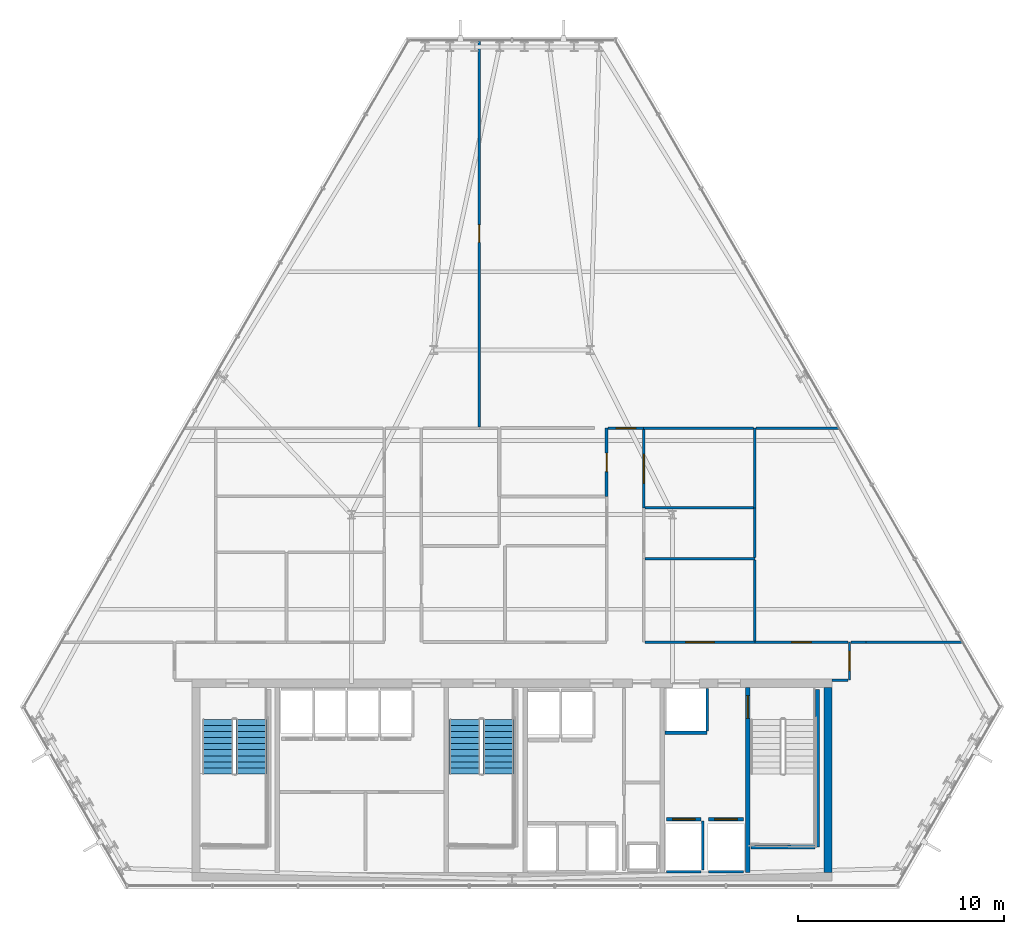
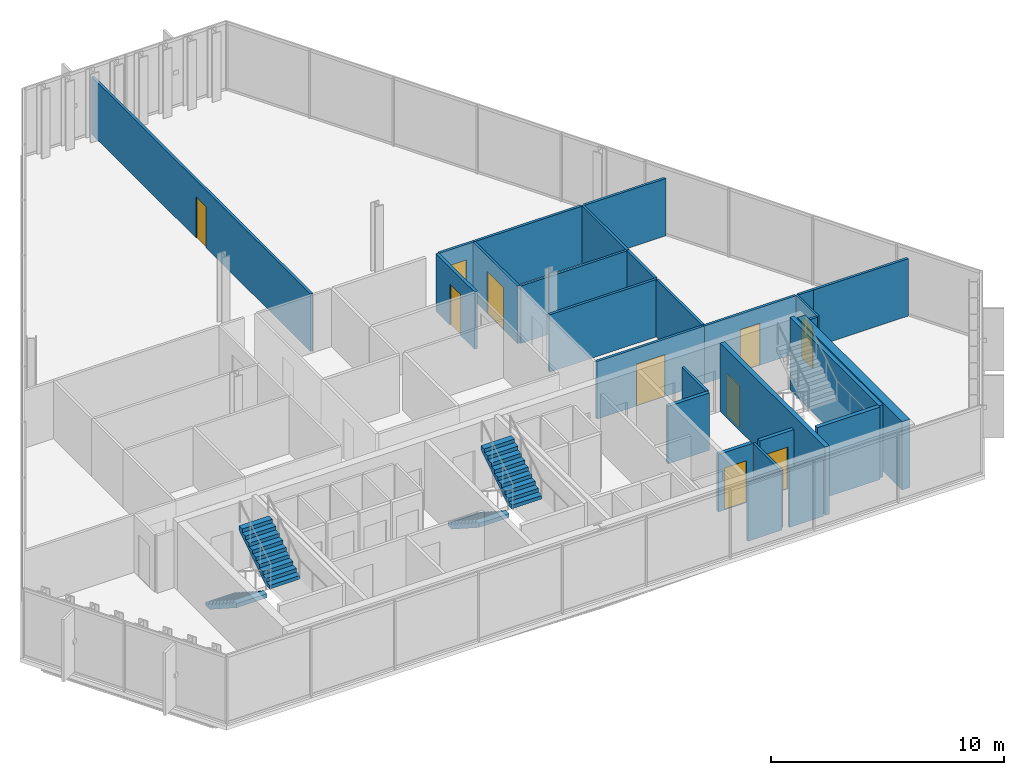
# One storey, part 30 of 35: 28 walls, 10 doors, 4 stair flights, 10 openings, 2 elements without a shape of their own.
"""IFC4 building model written with IfcOpenShell, lengths in metres."""

from ifc_helpers import new_model, si_unit, direction, frame, frame_2d, origin, place, context, subcontext, project, spatial, polyline, rectangle, outline, extrude, material, layer, layer_set, type_object, element, fill, aggregate, save


model = new_model("IFC4")

# Units and contexts
model_context = context("Model", 3, precision=1e-05, world=origin(), true_north=direction((0.0, 1.0)))
body_context = subcontext(model_context, "Body", "Model", "MODEL_VIEW")
ifc_project = project(units=[si_unit("LENGTHUNIT", "METRE"), si_unit("AREAUNIT", "SQUARE_METRE"), si_unit("VOLUMEUNIT", "CUBIC_METRE"), si_unit("PLANEANGLEUNIT", "RADIAN"), si_unit("MASSUNIT", "GRAM", prefix="KILO")], contexts=[model_context])

# Site, building, storey
site_placement = place(None, origin())
site = spatial("IfcSite", under=ifc_project, at=site_placement, CompositionType="ELEMENT")
building_placement = place(site_placement, origin())
building = spatial("IfcBuilding", under=site, at=building_placement, Name="Ndaravel Arena Tower", CompositionType="ELEMENT")
storey_placement = place(building_placement, frame((0.0, 0.0, 176.39990234375)))
storey = spatial("IfcBuildingStorey", under=building, at=storey_placement, Name="L42", CompositionType="ELEMENT", Elevation=176.39990234375)

# Wall, opening, door
ifc_material_1 = material(Name="Concrete C50/60", Category="concrete")
ifc_layer_1 = layer(ifc_material_1, 0.219970703125)
ifc_layer_set_1 = layer_set([ifc_layer_1], Name="Concrete C50/60")
wall_type_1 = type_object("IfcWallType", Name="WALL-CORE-220", PredefinedType="SOLIDWALL", material=ifc_layer_set_1)
wall_1_placement = place(storey_placement, frame((53.449951171875, 5.800048828125, 0.0), z_axis=(0.0, 0.0, 1.0), x_axis=(0.0, 1.0, 0.0)))
wall_1 = element("IfcWall", 1, at=wall_1_placement, inside=storey, type_object=wall_type_1, Name="L42 Core Web Shear Wall 5", PredefinedType="SOLIDWALL", context=body_context, shape_type="SweptSolid", body=[
    extrude(rectangle(XDim=9.0, YDim=0.219970703125, at=frame_2d((4.5, 0.0))), origin(), (0.0, 0.0, 1.0), 3.580078125),
])
opening_1_placement = place(wall_1_placement, frame((7.5, 0.0, 0.0)))
opening_1 = element("IfcOpeningElement", 2, at=opening_1_placement, cuts=wall_1, Name="Opening FD-01", PredefinedType="OPENING", context=body_context, shape_type="SweptSolid", body=[
    extrude(rectangle(XDim=1.10009765625, YDim=2.199951171875, at=frame_2d((0.550048828125, 1.10009765625))), frame((0.0, 0.10986328125, 0.0), z_axis=(0.0, -1.0, 0.0), x_axis=(1.0, 0.0, 0.0)), (0.0, 0.0, 1.0), 0.219970703125),
])
ifc_material_2 = material(Name="Steel S355", Category="steel")
door_type_1 = type_object("IfcDoorType", Name="DT-01-STAIR-1100", OperationType="SINGLE_SWING_LEFT", PredefinedType="DOOR", material=ifc_material_2)
door_1_placement = place(opening_1_placement, origin())
door_1 = element("IfcDoor", 3, at=door_1_placement, inside=storey, type_object=door_type_1, Name="L42 Firefighting Lobby to ST-3 Door", OperationType="SINGLE_SWING_LEFT", OverallHeight=2.199951171875, OverallWidth=1.10009765625, PredefinedType="DOOR", context=body_context, shape_type="SweptSolid", body=[
    extrude(rectangle(XDim=1.10009765625, YDim=2.199951171875, at=frame_2d((0.550048828125, 1.10009765625))), frame((0.0, 0.02490234375, 0.0), z_axis=(0.0, -1.0, 0.0), x_axis=(1.0, 0.0, 0.0)), (0.0, 0.0, 1.0), 0.050048828125),
])
fill(opening_1, door_1)

# Wall
ifc_material_3 = material(Name="Concrete C50/60", Category="concrete")
ifc_layer_2 = layer(ifc_material_3, 0.39990234375)
ifc_layer_set_2 = layer_set([ifc_layer_2], Name="Concrete C50/60")
wall_type_2 = type_object("IfcWallType", Name="WALL-CORE-400", PredefinedType="SOLIDWALL", material=ifc_layer_set_2)
wall_2_placement = place(storey_placement, frame((57.35009765625, 5.800048828125, 0.0), z_axis=(0.0, 0.0, 1.0), x_axis=(0.0, 1.0, 0.0)))
element("IfcWall", 4, at=wall_2_placement, inside=storey, type_object=wall_type_2, Name="L42 Core East Shear Wall", PredefinedType="SOLIDWALL", context=body_context, shape_type="SweptSolid", body=[
    extrude(rectangle(XDim=9.0, YDim=0.39990234375, at=frame_2d((4.5, 0.0))), origin(), (0.0, 0.0, 1.0), 3.580078125),
])

# Wall, opening, door
ifc_material_4 = material(Name="Timber", Category="wood")
ifc_layer_3 = layer(ifc_material_4, 0.10009765625)
ifc_layer_set_3 = layer_set([ifc_layer_3], Name="Timber")
wall_type_3 = type_object("IfcWallType", Name="WALL-MOVABLE-100", PredefinedType="MOVABLE", material=ifc_layer_set_3)
wall_3_placement = place(storey_placement, frame((58.39990234375, 17.0, 0.0), z_axis=(0.0, 0.0, 1.0), x_axis=(0.0, -1.0, 0.0)))
wall_3 = element("IfcWall", 5, at=wall_3_placement, inside=storey, type_object=wall_type_3, Name="L42 Interior Partition 001", PredefinedType="MOVABLE", context=body_context, shape_type="SweptSolid", body=[
    extrude(rectangle(XDim=1.85009765625, YDim=0.10009765625, at=frame_2d((0.925048828125, 0.0))), origin(), (0.0, 0.0, 1.0), 3.010498046875),
])
opening_2_placement = place(wall_3_placement, frame((0.449951171875, 0.0, 0.0)))
opening_2 = element("IfcOpeningElement", 6, at=opening_2_placement, cuts=wall_3, Name="Opening ID-01", PredefinedType="OPENING", context=body_context, shape_type="SweptSolid", body=[
    extrude(rectangle(XDim=0.949951171875, YDim=2.199951171875, at=frame_2d((0.47509765625, 1.10009765625))), frame((0.0, 0.050048828125, 0.0), z_axis=(0.0, -1.0, 0.0), x_axis=(1.0, 0.0, 0.0)), (0.0, 0.0, 1.0), 0.10009765625),
])
ifc_material_5 = material(Name="Timber", Category="wood")
door_type_2 = type_object("IfcDoorType", Name="DT-03-OFFICE-950", OperationType="SINGLE_SWING_LEFT", PredefinedType="DOOR", material=ifc_material_5)
door_2_placement = place(opening_2_placement, origin())
door_2 = element("IfcDoor", 7, at=door_2_placement, inside=storey, type_object=door_type_2, Name="L42 Design Bookshop Boutique Door", OperationType="SINGLE_SWING_RIGHT", OverallHeight=2.199951171875, OverallWidth=0.949951171875, PredefinedType="DOOR", context=body_context, shape_type="SweptSolid", body=[
    extrude(rectangle(XDim=0.949951171875, YDim=2.199951171875, at=frame_2d((0.47509765625, 1.10009765625))), frame((0.0, 0.02490234375, 0.0), z_axis=(0.0, -1.0, 0.0), x_axis=(1.0, 0.0, 0.0)), (0.0, 0.0, 1.0), 0.050048828125),
])
fill(opening_2, door_2)

# Wall
ifc_material_6 = material(Name="Gypsum", Category="gypsum")
ifc_layer_4 = layer(ifc_material_6, 0.125)
ifc_layer_set_4 = layer_set([ifc_layer_4], Name="Gypsum")
wall_type_4 = type_object("IfcWallType", Name="WALL-PART-125", PredefinedType="PARTITIONING", material=ifc_layer_set_4)
wall_4_placement = place(storey_placement, frame((58.3349609375, 15.14990234375, 0.0), z_axis=(0.0, 0.0, 1.0), x_axis=(-1.0, 0.0, 0.0)))
element("IfcWall", 8, at=wall_4_placement, inside=storey, type_object=wall_type_4, Name="L42 Interior Partition 002", PredefinedType="PARTITIONING", context=body_context, shape_type="SweptSolid", body=[
    extrude(rectangle(XDim=0.784912109375, YDim=0.125, at=frame_2d((0.392578125, 0.0))), origin(), (0.0, 0.0, 1.0), 3.010498046875),
])

# Wall, opening, door
wall_5_placement = place(storey_placement, frame((46.6650390625, 27.39990234375, 0.0), z_axis=(0.0, 0.0, 1.0), x_axis=(1.0, 0.0, 0.0)))
wall_5 = element("IfcWall", 9, at=wall_5_placement, inside=storey, type_object=wall_type_4, Name="L42 Interior Partition 019", PredefinedType="PARTITIONING", context=body_context, shape_type="SweptSolid", body=[
    extrude(rectangle(XDim=1.73486328125, YDim=0.125, at=frame_2d((0.867431640625, 0.0))), origin(), (0.0, 0.0, 1.0), 3.010498046875),
])
opening_3_placement = place(wall_5_placement, frame((0.392578125, 0.0, 0.0)))
opening_3 = element("IfcOpeningElement", 10, at=opening_3_placement, cuts=wall_5, Name="Opening ID-01", PredefinedType="OPENING", context=body_context, shape_type="SweptSolid", body=[
    extrude(rectangle(XDim=0.949951171875, YDim=2.199951171875, at=frame_2d((0.47509765625, 1.10009765625))), frame((0.0, 0.0625, 0.0), z_axis=(0.0, -1.0, 0.0), x_axis=(1.0, 0.0, 0.0)), (0.0, 0.0, 1.0), 0.125),
])
door_3_placement = place(opening_3_placement, origin())
door_3 = element("IfcDoor", 11, at=door_3_placement, inside=storey, type_object=door_type_2, Name="L42 Innovation Showroom 7 Door", OperationType="SINGLE_SWING_RIGHT", OverallHeight=2.199951171875, OverallWidth=0.949951171875, PredefinedType="DOOR", context=body_context, shape_type="SweptSolid", body=[
    extrude(rectangle(XDim=0.949951171875, YDim=2.199951171875, at=frame_2d((0.47509765625, 1.10009765625))), frame((0.0, 0.02490234375, 0.0), z_axis=(0.0, -1.0, 0.0), x_axis=(1.0, 0.0, 0.0)), (0.0, 0.0, 1.0), 0.050048828125),
])
fill(opening_3, door_3)

wall_6_placement = place(storey_placement, frame((48.39990234375, 27.3349609375, 0.0), z_axis=(0.0, 0.0, 1.0), x_axis=(0.0, -1.0, 0.0)))
wall_6 = element("IfcWall", 12, at=wall_6_placement, inside=storey, type_object=wall_type_4, Name="L42 Interior Partition 020", PredefinedType="PARTITIONING", context=body_context, shape_type="SweptSolid", body=[
    extrude(rectangle(XDim=3.8046875, YDim=0.125, at=frame_2d((1.90234375, 0.0))), origin(), (0.0, 0.0, 1.0), 3.010498046875),
])
opening_4_placement = place(wall_6_placement, frame((1.202392578125, 0.0, 0.0)))
opening_4 = element("IfcOpeningElement", 13, at=opening_4_placement, cuts=wall_6, Name="Opening ID-02", PredefinedType="OPENING", context=body_context, shape_type="SweptSolid", body=[
    extrude(rectangle(XDim=1.39990234375, YDim=2.199951171875, at=frame_2d((0.699951171875, 1.10009765625))), frame((0.0, 0.0625, 0.0), z_axis=(0.0, -1.0, 0.0), x_axis=(1.0, 0.0, 0.0)), (0.0, 0.0, 1.0), 0.125),
])
ifc_material_7 = material(Name="Timber", Category="wood")
door_type_3 = type_object("IfcDoorType", Name="DT-04-SUITE-1400", OperationType="DOUBLE_DOOR_SINGLE_SWING", PredefinedType="DOOR", material=ifc_material_7)
door_4_placement = place(opening_4_placement, origin())
door_4 = element("IfcDoor", 14, at=door_4_placement, inside=storey, type_object=door_type_3, Name="L42 Client Conference Room 6 Door", OperationType="SINGLE_SWING_RIGHT", OverallHeight=2.199951171875, OverallWidth=1.39990234375, PredefinedType="DOOR", context=body_context, shape_type="SweptSolid", body=[
    extrude(rectangle(XDim=1.39990234375, YDim=2.199951171875, at=frame_2d((0.699951171875, 1.10009765625))), frame((0.0, 0.02490234375, 0.0), z_axis=(0.0, -1.0, 0.0), x_axis=(1.0, 0.0, 0.0)), (0.0, 0.0, 1.0), 0.050048828125),
])
fill(opening_4, door_4)

wall_7_placement = place(storey_placement, frame((48.465087890625, 17.0, 0.0), z_axis=(0.0, 0.0, 1.0), x_axis=(1.0, 0.0, 0.0)))
wall_7 = element("IfcWall", 15, at=wall_7_placement, inside=storey, type_object=wall_type_4, Name="L42 Interior Partition 023", PredefinedType="PARTITIONING", context=body_context, shape_type="SweptSolid", body=[
    extrude(rectangle(XDim=5.3349609375, YDim=0.125, at=frame_2d((2.66748046875, 0.0))), origin(), (0.0, 0.0, 1.0), 3.010498046875),
])
opening_5_placement = place(wall_7_placement, frame((1.967529296875, 0.0, 0.0)))
opening_5 = element("IfcOpeningElement", 16, at=opening_5_placement, cuts=wall_7, Name="Opening ID-02", PredefinedType="OPENING", context=body_context, shape_type="SweptSolid", body=[
    extrude(rectangle(XDim=1.39990234375, YDim=2.199951171875, at=frame_2d((0.699951171875, 1.10009765625))), frame((0.0, 0.0625, 0.0), z_axis=(0.0, -1.0, 0.0), x_axis=(1.0, 0.0, 0.0)), (0.0, 0.0, 1.0), 0.125),
])
door_5_placement = place(opening_5_placement, origin())
door_5 = element("IfcDoor", 17, at=door_5_placement, inside=storey, type_object=door_type_3, Name="L42 Collaborative Lounge Door", OperationType="SINGLE_SWING_LEFT", OverallHeight=2.199951171875, OverallWidth=1.39990234375, PredefinedType="DOOR", context=body_context, shape_type="SweptSolid", body=[
    extrude(rectangle(XDim=1.39990234375, YDim=2.199951171875, at=frame_2d((0.699951171875, 1.10009765625))), frame((0.0, 0.02490234375, 0.0), z_axis=(0.0, -1.0, 0.0), x_axis=(1.0, 0.0, 0.0)), (0.0, 0.0, 1.0), 0.050048828125),
])
fill(opening_5, door_5)

wall_8_placement = place(storey_placement, frame((53.800048828125, 17.0, 0.0), z_axis=(0.0, 0.0, 1.0), x_axis=(1.0, 0.0, 0.0)))
wall_8 = element("IfcWall", 18, at=wall_8_placement, inside=storey, type_object=wall_type_4, Name="L42 Interior Partition 024", PredefinedType="PARTITIONING", context=body_context, shape_type="SweptSolid", body=[
    extrude(rectangle(XDim=4.534912109375, YDim=0.125, at=frame_2d((2.267578125, 0.0))), origin(), (0.0, 0.0, 1.0), 3.010498046875),
])
opening_6_placement = place(wall_8_placement, frame((1.79248046875, 0.0, 0.0)))
opening_6 = element("IfcOpeningElement", 19, at=opening_6_placement, cuts=wall_8, Name="Opening ID-01", PredefinedType="OPENING", context=body_context, shape_type="SweptSolid", body=[
    extrude(rectangle(XDim=0.949951171875, YDim=2.199951171875, at=frame_2d((0.47509765625, 1.10009765625))), frame((0.0, 0.0625, 0.0), z_axis=(0.0, -1.0, 0.0), x_axis=(1.0, 0.0, 0.0)), (0.0, 0.0, 1.0), 0.125),
])
door_6_placement = place(opening_6_placement, origin())
door_6 = element("IfcDoor", 20, at=door_6_placement, inside=storey, type_object=door_type_2, Name="L42 Innovation Showroom 3 Door", OperationType="SINGLE_SWING_LEFT", OverallHeight=2.199951171875, OverallWidth=0.949951171875, PredefinedType="DOOR", context=body_context, shape_type="SweptSolid", body=[
    extrude(rectangle(XDim=0.949951171875, YDim=2.199951171875, at=frame_2d((0.47509765625, 1.10009765625))), frame((0.0, 0.02490234375, 0.0), z_axis=(0.0, -1.0, 0.0), x_axis=(1.0, 0.0, 0.0)), (0.0, 0.0, 1.0), 0.050048828125),
])
fill(opening_6, door_6)

# Walls
wall_9_placement = place(storey_placement, frame((58.465087890625, 17.0, 0.0), z_axis=(0.0, 0.0, 1.0), x_axis=(1.0, 0.0, 0.0)))
element("IfcWall", 21, at=wall_9_placement, inside=storey, type_object=wall_type_4, Name="L42 Interior Partition 026", PredefinedType="PARTITIONING", context=body_context, shape_type="SweptSolid", body=[
    extrude(rectangle(XDim=0.73486328125, YDim=0.125, at=frame_2d((0.367431640625, 0.0))), origin(), (0.0, 0.0, 1.0), 3.010498046875),
])
wall_10_placement = place(storey_placement, frame((59.199951171875, 17.0, 0.0), z_axis=(0.0, 0.0, 1.0), x_axis=(1.0, 0.0, 0.0)))
element("IfcWall", 22, at=wall_10_placement, inside=storey, type_object=wall_type_4, Name="L42 Interior Partition 027", PredefinedType="PARTITIONING", context=body_context, shape_type="SweptSolid", body=[
    extrude(rectangle(XDim=4.705322265625, YDim=0.125, at=frame_2d((2.3525390625, 0.0))), origin(), (0.0, 0.0, 1.0), 3.010498046875),
])
wall_11_placement = place(storey_placement, frame((48.465087890625, 21.055908203125, 0.0), z_axis=(0.0, 0.0, 1.0), x_axis=(1.0, 0.0, 0.0)))
element("IfcWall", 23, at=wall_11_placement, inside=storey, type_object=wall_type_4, Name="L42 Interior Partition 028", PredefinedType="PARTITIONING", context=body_context, shape_type="SweptSolid", body=[
    extrude(rectangle(XDim=5.3349609375, YDim=0.125, at=frame_2d((2.66748046875, 0.0))), origin(), (0.0, 0.0, 1.0), 3.010498046875),
])
wall_12_placement = place(storey_placement, frame((53.800048828125, 20.990966796875, 0.0), z_axis=(0.0, 0.0, 1.0), x_axis=(0.0, -1.0, 0.0)))
element("IfcWall", 24, at=wall_12_placement, inside=storey, type_object=wall_type_4, Name="L42 Interior Partition 029", PredefinedType="PARTITIONING", context=body_context, shape_type="SweptSolid", body=[
    extrude(rectangle(XDim=3.926025390625, YDim=0.125, at=frame_2d((1.962890625, 0.0))), origin(), (0.0, 0.0, 1.0), 3.010498046875),
])
wall_13_placement = place(storey_placement, frame((53.800048828125, 21.12109375, 0.0), z_axis=(0.0, 0.0, 1.0), x_axis=(0.0, 1.0, 0.0)))
element("IfcWall", 25, at=wall_13_placement, inside=storey, type_object=wall_type_4, Name="L42 Interior Partition 040", PredefinedType="PARTITIONING", context=body_context, shape_type="SweptSolid", body=[
    extrude(rectangle(XDim=2.4091796875, YDim=0.125, at=frame_2d((1.20458984375, 0.0))), origin(), (0.0, 0.0, 1.0), 3.010498046875),
])
wall_14_placement = place(storey_placement, frame((53.800048828125, 23.5302734375, 0.0), z_axis=(0.0, 0.0, 1.0), x_axis=(0.0, 1.0, 0.0)))
element("IfcWall", 26, at=wall_14_placement, inside=storey, type_object=wall_type_4, Name="L42 Interior Partition 041", PredefinedType="PARTITIONING", context=body_context, shape_type="SweptSolid", body=[
    extrude(rectangle(XDim=3.86962890625, YDim=0.125, at=frame_2d((1.934814453125, 0.0))), origin(), (0.0, 0.0, 1.0), 3.010498046875),
])
wall_15_placement = place(storey_placement, frame((53.864990234375, 27.39990234375, 0.0), z_axis=(0.0, 0.0, 1.0), x_axis=(1.0, 0.0, 0.0)))
element("IfcWall", 27, at=wall_15_placement, inside=storey, type_object=wall_type_4, Name="L42 Interior Partition 042", PredefinedType="PARTITIONING", context=body_context, shape_type="SweptSolid", body=[
    extrude(rectangle(XDim=4.035888671875, YDim=0.125, at=frame_2d((2.01806640625, 0.0))), origin(), (0.0, 0.0, 1.0), 3.010498046875),
])
wall_16_placement = place(storey_placement, frame((48.465087890625, 23.5302734375, 0.0), z_axis=(0.0, 0.0, 1.0), x_axis=(1.0, 0.0, 0.0)))
element("IfcWall", 28, at=wall_16_placement, inside=storey, type_object=wall_type_4, Name="L42 Interior Partition 043", PredefinedType="PARTITIONING", context=body_context, shape_type="SweptSolid", body=[
    extrude(rectangle(XDim=5.27001953125, YDim=0.125, at=frame_2d((2.635009765625, 0.0))), origin(), (0.0, 0.0, 1.0), 3.010498046875),
])
wall_17_placement = place(storey_placement, frame((48.39990234375, 27.39990234375, 0.0), z_axis=(0.0, 0.0, 1.0), x_axis=(1.0, 0.0, 0.0)))
element("IfcWall", 29, at=wall_17_placement, inside=storey, type_object=wall_type_4, Name="L42 Interior Partition 050", PredefinedType="PARTITIONING", context=body_context, shape_type="SweptSolid", body=[
    extrude(rectangle(XDim=5.335205078125, YDim=0.125, at=frame_2d((2.66748046875, 0.0))), origin(), (0.0, 0.0, 1.0), 3.010498046875),
])
ifc_material_8 = material(Name="Concrete C40/50", Category="concrete")
ifc_layer_5 = layer(ifc_material_8, 0.1201171875)
ifc_layer_set_5 = layer_set([ifc_layer_5], Name="Concrete C40/50")
wall_type_5 = type_object("IfcWallType", Name="WALL-SHAFT-120", PredefinedType="SOLIDWALL", material=ifc_layer_set_5)
wall_18_placement = place(storey_placement, frame((49.5048828125, 5.840087890625, 0.0), z_axis=(0.0, 0.0, 1.0), x_axis=(1.0, 0.0, 0.0)))
element("IfcWall", 30, at=wall_18_placement, inside=storey, type_object=wall_type_5, Name="L42 FFL-1 Shaft Rear Wall", PredefinedType="SOLIDWALL", context=body_context, shape_type="SweptSolid", body=[
    extrude(rectangle(XDim=1.690185546875, YDim=0.1201171875, at=frame_2d((0.84521484375, 0.0))), origin(), (0.0, 0.0, 1.0), 3.010498046875),
])
wall_19_placement = place(storey_placement, frame((51.27490234375, 5.929931640625, 0.0), z_axis=(0.0, 0.0, 1.0), x_axis=(0.0, 1.0, 0.0)))
element("IfcWall", 31, at=wall_19_placement, inside=storey, type_object=wall_type_5, Name="L42 FFL-1 Shaft Side R Wall", PredefinedType="SOLIDWALL", context=body_context, shape_type="SweptSolid", body=[
    extrude(rectangle(XDim=2.380126953125, YDim=0.1201171875, at=frame_2d((1.18994140625, 0.0))), origin(), (0.0, 0.0, 1.0), 3.010498046875),
])
wall_20_placement = place(storey_placement, frame((51.554931640625, 5.840087890625, 0.0), z_axis=(0.0, 0.0, 1.0), x_axis=(1.0, 0.0, 0.0)))
element("IfcWall", 32, at=wall_20_placement, inside=storey, type_object=wall_type_5, Name="L42 FFL-2 Shaft Rear Wall", PredefinedType="SOLIDWALL", context=body_context, shape_type="SweptSolid", body=[
    extrude(rectangle(XDim=1.690185546875, YDim=0.1201171875, at=frame_2d((0.84521484375, 0.0))), origin(), (0.0, 0.0, 1.0), 3.010498046875),
])
wall_21_placement = place(storey_placement, frame((51.47998046875, 12.68994140625, 0.0), z_axis=(0.0, 0.0, 1.0), x_axis=(0.0, 1.0, 0.0)))
element("IfcWall", 33, at=wall_21_placement, inside=storey, type_object=wall_type_5, Name="L42 SVL-1 Shaft E Wall", PredefinedType="SOLIDWALL", context=body_context, shape_type="SweptSolid", body=[
    extrude(rectangle(XDim=2.070068359375, YDim=0.1201171875, at=frame_2d((1.03515625, 0.0))), origin(), (0.0, 0.0, 1.0), 3.010498046875),
])
ifc_material_9 = material(Name="Concrete C40/50", Category="concrete")
ifc_layer_6 = layer(ifc_material_9, 0.199951171875)
ifc_layer_set_6 = layer_set([ifc_layer_6], Name="Concrete C40/50")
wall_type_6 = type_object("IfcWallType", Name="WALL-SHAFT-200", PredefinedType="SOLIDWALL", material=ifc_layer_set_6)
wall_22_placement = place(storey_placement, frame((56.840087890625, 14.699951171875, 0.0), z_axis=(0.0, 0.0, 1.0), x_axis=(0.0, -1.0, 0.0)))
element("IfcWall", 34, at=wall_22_placement, inside=storey, type_object=wall_type_6, Name="L42 ST-3 Structural Shaft Wall Right", PredefinedType="SOLIDWALL", context=body_context, shape_type="SweptSolid", body=[
    extrude(rectangle(XDim=7.64990234375, YDim=0.199951171875, at=frame_2d((3.824951171875, 0.0))), origin(), (0.0, 0.0, 1.0), 3.800048828125),
])
wall_23_placement = place(storey_placement, frame((53.6201171875, 7.050048828125, 0.0), z_axis=(0.0, 0.0, 1.0), x_axis=(1.0, 0.0, 0.0)))
element("IfcWall", 35, at=wall_23_placement, inside=storey, type_object=wall_type_6, Name="L42 ST-3 Structural Shaft Wall Far", PredefinedType="SOLIDWALL", context=body_context, shape_type="SweptSolid", body=[
    extrude(rectangle(XDim=3.114990234375, YDim=0.199951171875, at=frame_2d((1.5576171875, 0.0))), origin(), (0.0, 0.0, 1.0), 3.800048828125),
])

# Wall, opening, door
wall_24_placement = place(storey_placement, frame((49.5048828125, 8.39990234375, 0.0), z_axis=(0.0, 0.0, 1.0), x_axis=(1.0, 0.0, 0.0)))
wall_24 = element("IfcWall", 36, at=wall_24_placement, inside=storey, type_object=wall_type_6, Name="L42 FFL-1 Shaft Landing Wall", PredefinedType="SOLIDWALL", context=body_context, shape_type="SweptSolid", body=[
    extrude(rectangle(XDim=1.690185546875, YDim=0.179931640625, at=frame_2d((0.84521484375, 0.0))), origin(), (0.0, 0.0, 1.0), 3.010498046875),
])
opening_7_placement = place(wall_24_placement, frame((0.294921875, 0.0, 0.0)))
opening_7 = element("IfcOpeningElement", 37, at=opening_7_placement, cuts=wall_24, Name="Opening LD-01", PredefinedType="OPENING", context=body_context, shape_type="SweptSolid", body=[
    extrude(rectangle(XDim=1.10009765625, YDim=2.199951171875, at=frame_2d((0.550048828125, 1.10009765625))), frame((0.0, 0.08984375, 0.0), z_axis=(0.0, -1.0, 0.0), x_axis=(1.0, 0.0, 0.0)), (0.0, 0.0, 1.0), 0.179931640625),
])
ifc_material_10 = material(Name="Steel S355", Category="steel")
door_type_4 = type_object("IfcDoorType", Name="DT-06-LIFT-1100", OperationType="SLIDING_TO_LEFT", PredefinedType="DOOR", material=ifc_material_10)
door_7_placement = place(opening_7_placement, origin())
door_7 = element("IfcDoor", 38, at=door_7_placement, inside=storey, type_object=door_type_4, Name="L42 Lift FFL-1 Sliding Landing Door", OperationType="SLIDING_TO_LEFT", OverallHeight=2.199951171875, OverallWidth=1.10009765625, PredefinedType="DOOR", context=body_context, shape_type="SweptSolid", body=[
    extrude(rectangle(XDim=1.10009765625, YDim=2.199951171875, at=frame_2d((0.550048828125, 1.10009765625))), frame((0.0, 0.02490234375, 0.0), z_axis=(0.0, -1.0, 0.0), x_axis=(1.0, 0.0, 0.0)), (0.0, 0.0, 1.0), 0.050048828125),
])
fill(opening_7, door_7)

wall_25_placement = place(storey_placement, frame((51.554931640625, 8.39990234375, 0.0), z_axis=(0.0, 0.0, 1.0), x_axis=(1.0, 0.0, 0.0)))
wall_25 = element("IfcWall", 39, at=wall_25_placement, inside=storey, type_object=wall_type_6, Name="L42 FFL-2 Shaft Landing Wall", PredefinedType="SOLIDWALL", context=body_context, shape_type="SweptSolid", body=[
    extrude(rectangle(XDim=1.690185546875, YDim=0.179931640625, at=frame_2d((0.84521484375, 0.0))), origin(), (0.0, 0.0, 1.0), 3.010498046875),
])
opening_8_placement = place(wall_25_placement, frame((0.294921875, 0.0, 0.0)))
opening_8 = element("IfcOpeningElement", 40, at=opening_8_placement, cuts=wall_25, Name="Opening LD-01", PredefinedType="OPENING", context=body_context, shape_type="SweptSolid", body=[
    extrude(rectangle(XDim=1.10009765625, YDim=2.199951171875, at=frame_2d((0.550048828125, 1.10009765625))), frame((0.0, 0.08984375, 0.0), z_axis=(0.0, -1.0, 0.0), x_axis=(1.0, 0.0, 0.0)), (0.0, 0.0, 1.0), 0.179931640625),
])
door_8_placement = place(opening_8_placement, origin())
door_8 = element("IfcDoor", 41, at=door_8_placement, inside=storey, type_object=door_type_4, Name="L42 Lift FFL-2 Sliding Landing Door", OperationType="SLIDING_TO_LEFT", OverallHeight=2.199951171875, OverallWidth=1.10009765625, PredefinedType="DOOR", context=body_context, shape_type="SweptSolid", body=[
    extrude(rectangle(XDim=1.10009765625, YDim=2.199951171875, at=frame_2d((0.550048828125, 1.10009765625))), frame((0.0, 0.02490234375, 0.0), z_axis=(0.0, -1.0, 0.0), x_axis=(1.0, 0.0, 0.0)), (0.0, 0.0, 1.0), 0.050048828125),
])
fill(opening_8, door_8)

# Wall
wall_26_placement = place(storey_placement, frame((49.43994140625, 12.594970703125, 0.0), z_axis=(0.0, 0.0, 1.0), x_axis=(1.0, 0.0, 0.0)))
element("IfcWall", 42, at=wall_26_placement, inside=storey, type_object=wall_type_6, Name="L42 SVL-1 Shaft South Wall", PredefinedType="SOLIDWALL", context=body_context, shape_type="SweptSolid", body=[
    extrude(rectangle(XDim=2.0400390625, YDim=0.179931640625, at=frame_2d((1.02001953125, 0.0))), origin(), (0.0, 0.0, 1.0), 3.010498046875),
])

# Wall, opening, door
ifc_material_11 = material(Name="Masonry", Category="masonry")
ifc_layer_7 = layer(ifc_material_11, 0.14990234375)
ifc_layer_set_7 = layer_set([ifc_layer_7], Name="Masonry")
wall_type_7 = type_object("IfcWallType", Name="WALL-WET-150", PredefinedType="PARTITIONING", material=ifc_layer_set_7)
wall_27_placement = place(storey_placement, frame((46.60009765625, 24.08251953125, 0.0), z_axis=(0.0, 0.0, 1.0), x_axis=(0.0, 1.0, 0.0)))
wall_27 = element("IfcWall", 43, at=wall_27_placement, inside=storey, type_object=wall_type_7, Name="L42 Interior Partition 018", PredefinedType="PARTITIONING", context=body_context, shape_type="SweptSolid", body=[
    extrude(rectangle(XDim=3.3173828125, YDim=0.14990234375, at=frame_2d((1.65869140625, 0.0))), origin(), (0.0, 0.0, 1.0), 3.010498046875),
])
opening_9_placement = place(wall_27_placement, frame((1.208740234375, 0.0, 0.0)))
opening_9 = element("IfcOpeningElement", 44, at=opening_9_placement, cuts=wall_27, Name="Opening WD-01", PredefinedType="OPENING", context=body_context, shape_type="SweptSolid", body=[
    extrude(rectangle(XDim=0.89990234375, YDim=2.14990234375, at=frame_2d((0.449951171875, 1.074951171875))), frame((0.0, 0.074951171875, 0.0), z_axis=(0.0, -1.0, 0.0), x_axis=(1.0, 0.0, 0.0)), (0.0, 0.0, 1.0), 0.14990234375),
])
ifc_material_12 = material(Name="Timber", Category="wood")
door_type_5 = type_object("IfcDoorType", Name="DT-05-WC-900", OperationType="SINGLE_SWING_LEFT", PredefinedType="DOOR", material=ifc_material_12)
door_9_placement = place(opening_9_placement, origin())
door_9 = element("IfcDoor", 45, at=door_9_placement, inside=storey, type_object=door_type_5, Name="L42 Female & Accessible Restroom Door", OperationType="SINGLE_SWING_RIGHT", OverallHeight=2.14990234375, OverallWidth=0.89990234375, PredefinedType="DOOR", context=body_context, shape_type="SweptSolid", body=[
    extrude(rectangle(XDim=0.89990234375, YDim=2.14990234375, at=frame_2d((0.449951171875, 1.074951171875))), frame((0.0, 0.02490234375, 0.0), z_axis=(0.0, -1.0, 0.0), x_axis=(1.0, 0.0, 0.0)), (0.0, 0.0, 1.0), 0.050048828125),
])
fill(opening_9, door_9)

wall_28_placement = place(storey_placement, frame((40.409912109375, 46.248291015625, 0.0), z_axis=(0.0, 0.0, 1.0), x_axis=(0.0, -1.0, 0.0)))
wall_28 = element("IfcWall", 46, at=wall_28_placement, inside=storey, type_object=wall_type_7, Name="L42 Interior Partition 053", PredefinedType="PARTITIONING", context=body_context, shape_type="SweptSolid", body=[
    extrude(rectangle(XDim=18.783203125, YDim=0.125, at=frame_2d((9.3916015625, 0.0))), origin(), (0.0, 0.0, 1.0), 3.010498046875),
])
opening_10_placement = place(wall_28_placement, frame((8.966552734375, 0.0, 0.0)))
opening_10 = element("IfcOpeningElement", 47, at=opening_10_placement, cuts=wall_28, Name="Opening ID-03", PredefinedType="OPENING", context=body_context, shape_type="SweptSolid", body=[
    extrude(rectangle(XDim=0.85009765625, YDim=2.14990234375, at=frame_2d((0.425048828125, 1.074951171875))), frame((0.0, 0.0625, 0.0), z_axis=(0.0, -1.0, 0.0), x_axis=(1.0, 0.0, 0.0)), (0.0, 0.0, 1.0), 0.125),
])
ifc_material_13 = material(Name="Timber", Category="wood")
door_type_6 = type_object("IfcDoorType", Name="DT-12-SUB-850", OperationType="SINGLE_SWING_LEFT", PredefinedType="DOOR", material=ifc_material_13)
door_10_placement = place(opening_10_placement, origin())
door_10 = element("IfcDoor", 48, at=door_10_placement, inside=storey, type_object=door_type_6, Name="L42 Project Seminar Room 7 Door", OperationType="SINGLE_SWING_LEFT", OverallHeight=2.14990234375, OverallWidth=0.85009765625, PredefinedType="DOOR", context=body_context, shape_type="SweptSolid", body=[
    extrude(rectangle(XDim=0.85009765625, YDim=2.14990234375, at=frame_2d((0.425048828125, 1.074951171875))), frame((0.0, 0.02490234375, 0.0), z_axis=(0.0, -1.0, 0.0), x_axis=(1.0, 0.0, 0.0)), (0.0, 0.0, 1.0), 0.050048828125),
])
fill(opening_10, door_10)

# Stair, stair flights
ifc_material_14 = material(Name="Concrete C40/50", Category="concrete")
stair_type = type_object("IfcStairType", Name="STAIR-CORE-HT", PredefinedType="HALF_TURN_STAIR", material=ifc_material_14)
stair_1_placement = place(storey_placement, origin())
stair_1 = element("IfcStair", 49, at=stair_1_placement, inside=storey, type_object=stair_type, Name="L42 ST-1", PredefinedType="HALF_TURN_STAIR")
ifc_material_15 = material(Name="Concrete C40/50", Category="concrete")
stair_flight_type = type_object("IfcStairFlightType", Name="SFLIGHT-CORE-1680", PredefinedType="STRAIGHT", material=ifc_material_15)
stair_flight_1_placement = place(storey_placement, frame((27.699951171875, 13.25, 0.0), z_axis=(0.0, 0.0, 1.0), x_axis=(0.0, -1.0, 0.0)))
stair_flight_1 = element("IfcStairFlight", 50, at=stair_flight_1_placement, type_object=stair_flight_type, Name="ST-1 flight 1", NumberOfRisers=10, NumberOfTreads=9, PredefinedType="STRAIGHT", RiserHeight=0.19, TreadLength=0.295, context=body_context, shape_type="SweptSolid", body=[
    extrude(outline(polyline([(0.0, 0.0), (0.0, 0.18994140625), (0.294921875, 0.18994140625), (0.294921875, 0.3798828125), (0.590087890625, 0.3798828125), (0.590087890625, 0.570068359375), (0.885009765625, 0.570068359375), (0.885009765625, 0.760009765625), (1.179931640625, 0.760009765625), (1.179931640625, 0.949951171875), (1.47509765625, 0.949951171875), (1.47509765625, 1.139892578125), (1.77001953125, 1.139892578125), (1.77001953125, 1.330078125), (2.06494140625, 1.330078125), (2.06494140625, 1.52001953125), (2.360107421875, 1.52001953125), (2.360107421875, 1.7099609375), (2.655029296875, 1.7099609375), (2.655029296875, 1.89990234375), (2.655029296875, 1.49609375), (0.332275390625, 0.0), (0.0, 0.0)])), frame((0.0, 0.75, 0.0), z_axis=(0.0, -1.0, 0.0), x_axis=(1.0, 0.0, 0.0)), (0.0, 0.0, 1.0), 1.5),
])
stair_flight_2_placement = place(storey_placement, frame((29.340087890625, 10.594970703125, 1.900146484375), z_axis=(0.0, 0.0, 1.0), x_axis=(0.0, 1.0, 0.0)))
stair_flight_2 = element("IfcStairFlight", 51, at=stair_flight_2_placement, type_object=stair_flight_type, Name="ST-1 flight 2", NumberOfRisers=10, NumberOfTreads=9, PredefinedType="STRAIGHT", RiserHeight=0.19, TreadLength=0.295, context=body_context, shape_type="SweptSolid", body=[
    extrude(outline(polyline([(0.0, 0.0), (0.0, 0.18994140625), (0.294921875, 0.18994140625), (0.294921875, 0.3798828125), (0.590087890625, 0.3798828125), (0.590087890625, 0.570068359375), (0.885009765625, 0.570068359375), (0.885009765625, 0.760009765625), (1.179931640625, 0.760009765625), (1.179931640625, 0.949951171875), (1.47509765625, 0.949951171875), (1.47509765625, 1.139892578125), (1.77001953125, 1.139892578125), (1.77001953125, 1.330078125), (2.06494140625, 1.330078125), (2.06494140625, 1.52001953125), (2.360107421875, 1.52001953125), (2.360107421875, 1.7099609375), (2.655029296875, 1.7099609375), (2.655029296875, 1.89990234375), (2.655029296875, 1.49609375), (0.332275390625, 0.0), (0.0, 0.0)])), frame((0.0, 0.75, 0.0), z_axis=(0.0, -1.0, 0.0), x_axis=(1.0, 0.0, 0.0)), (0.0, 0.0, 1.0), 1.5),
])
aggregate(stair_1, [stair_flight_1, stair_flight_2])

stair_2_placement = place(storey_placement, origin())
stair_2 = element("IfcStair", 52, at=stair_2_placement, inside=storey, type_object=stair_type, Name="L42 ST-2", PredefinedType="HALF_TURN_STAIR")
stair_flight_3_placement = place(storey_placement, frame((39.699951171875, 13.25, 0.0), z_axis=(0.0, 0.0, 1.0), x_axis=(0.0, -1.0, 0.0)))
stair_flight_3 = element("IfcStairFlight", 53, at=stair_flight_3_placement, type_object=stair_flight_type, Name="ST-2 flight 1", NumberOfRisers=10, NumberOfTreads=9, PredefinedType="STRAIGHT", RiserHeight=0.19, TreadLength=0.295, context=body_context, shape_type="SweptSolid", body=[
    extrude(outline(polyline([(0.0, 0.0), (0.0, 0.18994140625), (0.294921875, 0.18994140625), (0.294921875, 0.3798828125), (0.590087890625, 0.3798828125), (0.590087890625, 0.570068359375), (0.885009765625, 0.570068359375), (0.885009765625, 0.760009765625), (1.179931640625, 0.760009765625), (1.179931640625, 0.949951171875), (1.47509765625, 0.949951171875), (1.47509765625, 1.139892578125), (1.77001953125, 1.139892578125), (1.77001953125, 1.330078125), (2.06494140625, 1.330078125), (2.06494140625, 1.52001953125), (2.360107421875, 1.52001953125), (2.360107421875, 1.7099609375), (2.655029296875, 1.7099609375), (2.655029296875, 1.89990234375), (2.655029296875, 1.49609375), (0.332275390625, 0.0), (0.0, 0.0)])), frame((0.0, 0.75, 0.0), z_axis=(0.0, -1.0, 0.0), x_axis=(1.0, 0.0, 0.0)), (0.0, 0.0, 1.0), 1.5),
])
stair_flight_4_placement = place(storey_placement, frame((41.340087890625, 10.594970703125, 1.900146484375), z_axis=(0.0, 0.0, 1.0), x_axis=(0.0, 1.0, 0.0)))
stair_flight_4 = element("IfcStairFlight", 54, at=stair_flight_4_placement, type_object=stair_flight_type, Name="ST-2 flight 2", NumberOfRisers=10, NumberOfTreads=9, PredefinedType="STRAIGHT", RiserHeight=0.19, TreadLength=0.295, context=body_context, shape_type="SweptSolid", body=[
    extrude(outline(polyline([(0.0, 0.0), (0.0, 0.18994140625), (0.294921875, 0.18994140625), (0.294921875, 0.3798828125), (0.590087890625, 0.3798828125), (0.590087890625, 0.570068359375), (0.885009765625, 0.570068359375), (0.885009765625, 0.760009765625), (1.179931640625, 0.760009765625), (1.179931640625, 0.949951171875), (1.47509765625, 0.949951171875), (1.47509765625, 1.139892578125), (1.77001953125, 1.139892578125), (1.77001953125, 1.330078125), (2.06494140625, 1.330078125), (2.06494140625, 1.52001953125), (2.360107421875, 1.52001953125), (2.360107421875, 1.7099609375), (2.655029296875, 1.7099609375), (2.655029296875, 1.89990234375), (2.655029296875, 1.49609375), (0.332275390625, 0.0), (0.0, 0.0)])), frame((0.0, 0.75, 0.0), z_axis=(0.0, -1.0, 0.0), x_axis=(1.0, 0.0, 0.0)), (0.0, 0.0, 1.0), 1.5),
])
aggregate(stair_2, [stair_flight_3, stair_flight_4])

save(model, "model.ifc")
